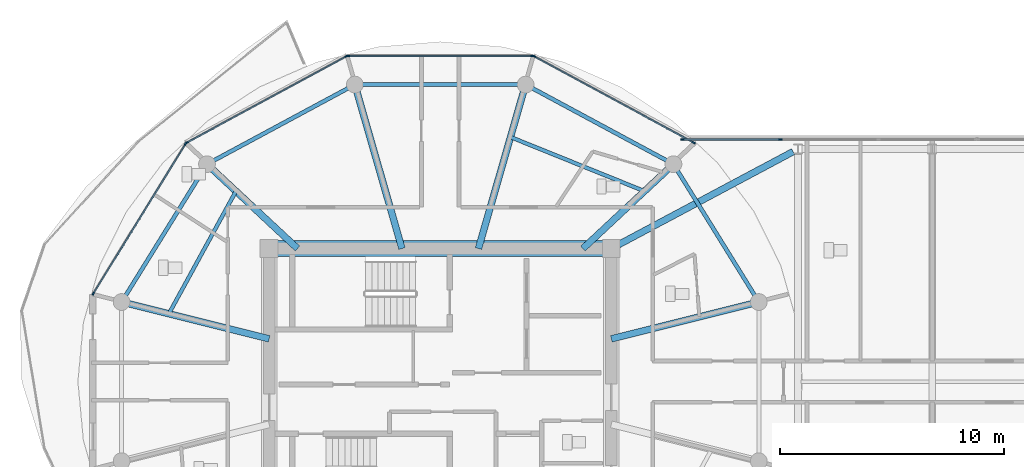
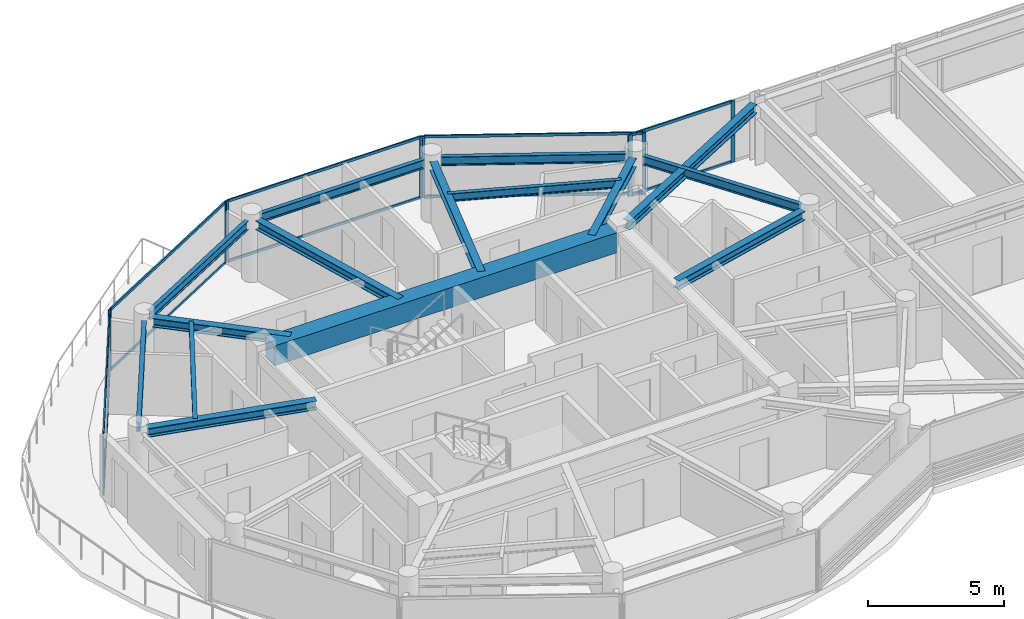
# One storey, part 5 of 26: 20 members, 15 beams, 5 elements without a shape of their own.
"""IFC4 building model written with IfcOpenShell, lengths in metres."""

from ifc_helpers import new_model, si_unit, direction, frame, origin, origin_2d, place, context, subcontext, project, spatial, rectangle, i_section, extrude, source, transform, mapped, material, layer, layer_set, material_profile, profile_set, type_object, type_shapes, element, aggregate, save


model = new_model("IFC4")

# Units and contexts
model_context = context("Model", 3, precision=1e-05, world=origin(), true_north=direction((0.0, 1.0)))
body_context = subcontext(model_context, "Body", "Model", "MODEL_VIEW")
ifc_project = project(units=[si_unit("LENGTHUNIT", "METRE"), si_unit("AREAUNIT", "SQUARE_METRE"), si_unit("VOLUMEUNIT", "CUBIC_METRE"), si_unit("PLANEANGLEUNIT", "RADIAN"), si_unit("MASSUNIT", "GRAM", prefix="KILO")], contexts=[model_context])

# Site, building, storey
site_placement = place(None, origin())
site = spatial("IfcSite", under=ifc_project, at=site_placement, CompositionType="ELEMENT")
building_placement = place(site_placement, origin())
building = spatial("IfcBuilding", under=site, at=building_placement, Name="Norrkilde Senior Care Towers", CompositionType="ELEMENT")
storey_placement = place(building_placement, frame((0.0, 0.0, 210.85009765625)))
storey = spatial("IfcBuildingStorey", under=building, at=storey_placement, Name="L65", CompositionType="ELEMENT", Elevation=210.85009765625)

# Beams
ifc_material_1 = material(Name="Concrete C60/75", Category="concrete")
ifc_material_profile_1 = material_profile(ifc_material_1, rectangle(XDim=0.699951171875, YDim=0.89990234375, at=origin_2d()), Name="RC BM 700x900")
ifc_profile_set_1 = profile_set([ifc_material_profile_1], Name="Concrete C60/75")
beam_type_1 = type_object("IfcBeamType", Name="Core Coupling Girder 700x900", PredefinedType="USERDEFINED", material=ifc_profile_set_1)
shared_shape_1 = source(origin(), body_context, "Body", "SweptSolid", [
    extrude(rectangle(XDim=0.699951171875, YDim=0.89990234375, at=origin_2d()), origin(), (0.0, 0.0, 1.0), 14.5400390625),
])
type_shapes(beam_type_1, [shared_shape_1])
beam_1_placement = place(storey_placement, frame((-35.27001953125, 5.949951171875, 2.309814453125), z_axis=(1.0, 0.0, 0.0), x_axis=(0.0, 1.0, 0.0)))
element("IfcBeam", 1, at=beam_1_placement, inside=storey, type_object=beam_type_1, Name="L65 Core W N Coupling Girder", ObjectType="GIRDER", PredefinedType="USERDEFINED", context=body_context, shape_type="MappedRepresentation", body=[
    mapped(shared_shape_1, transform((0.0, 0.0, 0.0), x_axis=(1.0, 0.0, 0.0), y_axis=(0.0, 1.0, 0.0), z_axis=(0.0, 0.0, 1.0), scale=1.0)),
])
ifc_material_2 = material(Name="Steel S355", Category="steel")
ifc_material_profile_2 = material_profile(ifc_material_2, i_section(OverallWidth=0.179931640625, OverallDepth=0.39990234375, WebThickness=0.008544921875, FlangeThickness=0.013427734375, FilletRadius=0.02099609375, at=origin_2d()), Name="IPE 400")
ifc_profile_set_2 = profile_set([ifc_material_profile_2], Name="Steel S355")
beam_type_2 = type_object("IfcBeamType", Name="Perimeter Ring Spandrel Z4 IPE400", PredefinedType="SPANDREL", material=ifc_profile_set_2)
shared_shape_2 = source(origin(), body_context, "Body", "SweptSolid", [
    extrude(i_section(OverallWidth=0.179931640625, OverallDepth=0.39990234375, WebThickness=0.008544921875, FlangeThickness=0.013427734375, FilletRadius=0.02099609375, at=origin_2d()), origin(), (0.0, 0.0, 1.0), 6.58056640625),
])
for number, where, z_axis, x_axis, name in (
    (2, (-13.928955078125, 3.843505859375, 2.559814453125), (-0.526529583789, 0.850156807533, 0.0), (-0.850156807533, -0.526529583789, 0.0), "L65 Drum W Perimeter Spandrel 01"),
    (3, (-38.606201171875, 9.43798828125, 2.559814453125), (-0.526529583789, -0.850156807533, 0.0), (0.850156807533, -0.526529583789, 0.0), "L65 Drum W Perimeter Spandrel 05"),
):
    element("IfcBeam", number, at=place(storey_placement, frame(where, z_axis=z_axis, x_axis=x_axis)), inside=storey, type_object=beam_type_2, Name=name, PredefinedType="SPANDREL", context=body_context, shape_type="MappedRepresentation", body=[
        mapped(shared_shape_2, transform((0.0, 0.0, 0.0), x_axis=(1.0, 0.0, 0.0), y_axis=(0.0, 1.0, 0.0), z_axis=(0.0, 0.0, 1.0), scale=1.0)),
    ])
ifc_material_profile_3 = material_profile(ifc_material_2, i_section(OverallWidth=0.300048828125, OverallDepth=0.39990234375, WebThickness=0.013427734375, FlangeThickness=0.02392578125, FilletRadius=0.027099609375, at=origin_2d()), Name="HEB 400")
ifc_profile_set_3 = profile_set([ifc_material_profile_3], Name="Steel S355")
beam_type_3 = type_object("IfcBeamType", Name="Radial Floor Beam Z4 HEB400", PredefinedType="BEAM", material=ifc_profile_set_3)
shared_shape_3 = source(origin(), body_context, "Body", "SweptSolid", [
    extrude(i_section(OverallWidth=0.300048828125, OverallDepth=0.39990234375, WebThickness=0.013427734375, FlangeThickness=0.02392578125, FilletRadius=0.027099609375, at=origin_2d()), origin(), (0.0, 0.0, 1.0), 6.465087890625),
])
for number, where, z_axis, x_axis, name in (
    (4, (-20.35009765625, 1.910888671875, 2.559814453125), (0.970195788563, 0.242322371758, 0.0), (-0.242322371758, 0.970195788563, 0.0), "L65 Drum W Radial Floor Beam 01"),
    (5, (-35.64990234375, 1.910888671875, 2.559814453125), (-0.970195788563, 0.242322371758, 0.0), (-0.242322371758, -0.970195788563, 0.0), "L65 Drum W Radial Floor Beam 06"),
):
    element("IfcBeam", number, at=place(storey_placement, frame(where, z_axis=z_axis, x_axis=x_axis)), inside=storey, type_object=beam_type_3, Name=name, PredefinedType="BEAM", context=body_context, shape_type="MappedRepresentation", body=[
        mapped(shared_shape_3, transform((0.0, 0.0, 0.0), x_axis=(1.0, 0.0, 0.0), y_axis=(0.0, 1.0, 0.0), z_axis=(0.0, 0.0, 1.0), scale=1.0)),
    ])
shared_shape_4 = source(origin(), body_context, "Body", "SweptSolid", [
    extrude(i_section(OverallWidth=0.179931640625, OverallDepth=0.39990234375, WebThickness=0.008544921875, FlangeThickness=0.013427734375, FilletRadius=0.02099609375, at=origin_2d()), origin(), (0.0, 0.0, 1.0), 6.839111328125),
])
for number, where, z_axis, x_axis, name in (
    (6, (-17.865234375, 9.881591796875, 2.559814453125), (-0.880563930732, 0.473927382511, 0.0), (-0.473927382511, -0.880563930732, 0.0), "L65 Drum W Perimeter Spandrel 02"),
    (7, (-32.112548828125, 13.122802734375, 2.559814453125), (-0.880563930732, -0.473927382511, 0.0), (0.473927382511, -0.880563930732, 0.0), "L65 Drum W Perimeter Spandrel 04"),
):
    element("IfcBeam", number, at=place(storey_placement, frame(where, z_axis=z_axis, x_axis=x_axis)), inside=storey, type_object=beam_type_2, Name=name, PredefinedType="SPANDREL", context=body_context, shape_type="MappedRepresentation", body=[
        mapped(shared_shape_4, transform((0.0, 0.0, 0.0), x_axis=(1.0, 0.0, 0.0), y_axis=(0.0, 1.0, 0.0), z_axis=(0.0, 0.0, 1.0), scale=1.0)),
    ])
shared_shape_5 = source(origin(), body_context, "Body", "SweptSolid", [
    extrude(i_section(OverallWidth=0.300048828125, OverallDepth=0.39990234375, WebThickness=0.013427734375, FlangeThickness=0.02392578125, FilletRadius=0.027099609375, at=origin_2d()), origin(), (0.0, 0.0, 1.0), 5.197998046875),
])
for number, where, z_axis, x_axis, name in (
    (8, (-21.6171875, 5.949951171875, 2.559814453125), (0.731448749334, 0.681896419625, 0.0), (-0.681896419625, 0.731448749334, 0.0), "L65 Drum W Radial Floor Beam 02"),
    (9, (-34.3828125, 5.949951171875, 2.559814453125), (-0.731448749334, 0.681896419625, 0.0), (-0.681896419625, -0.731448749334, 0.0), "L65 Drum W Radial Floor Beam 05"),
):
    element("IfcBeam", number, at=place(storey_placement, frame(where, z_axis=z_axis, x_axis=x_axis)), inside=storey, type_object=beam_type_3, Name=name, PredefinedType="BEAM", context=body_context, shape_type="MappedRepresentation", body=[
        mapped(shared_shape_5, transform((0.0, 0.0, 0.0), x_axis=(1.0, 0.0, 0.0), y_axis=(0.0, 1.0, 0.0), z_axis=(0.0, 0.0, 1.0), scale=1.0)),
    ])
shared_shape_6 = source(origin(), body_context, "Body", "SweptSolid", [
    extrude(i_section(OverallWidth=0.179931640625, OverallDepth=0.39990234375, WebThickness=0.008544921875, FlangeThickness=0.013427734375, FilletRadius=0.02099609375, at=origin_2d()), origin(), (0.0, 0.0, 1.0), 6.96533203125),
])
type_shapes(beam_type_2, [shared_shape_2, shared_shape_4, shared_shape_6])
beam_2_placement = place(storey_placement, frame((-24.517333984375, 13.281494140625, 2.559814453125), z_axis=(-1.0, 0.0, 0.0), x_axis=(0.0, -1.0, 0.0)))
element("IfcBeam", 10, at=beam_2_placement, inside=storey, type_object=beam_type_2, Name="L65 Drum W Perimeter Spandrel 03", PredefinedType="SPANDREL", context=body_context, shape_type="MappedRepresentation", body=[
    mapped(shared_shape_6, transform((0.0, 0.0, 0.0), x_axis=(1.0, 0.0, 0.0), y_axis=(0.0, 1.0, 0.0), z_axis=(0.0, 0.0, 1.0), scale=1.0)),
])
shared_shape_7 = source(origin(), body_context, "Body", "SweptSolid", [
    extrude(i_section(OverallWidth=0.300048828125, OverallDepth=0.39990234375, WebThickness=0.013427734375, FlangeThickness=0.02392578125, FilletRadius=0.027099609375, at=origin_2d()), origin(), (0.0, 0.0, 1.0), 7.29345703125),
])
for number, where, z_axis, x_axis, name in (
    (11, (-26.289794921875, 5.949951171875, 2.559814453125), (0.276263751906, 0.961081858836, 0.0), (-0.961081858836, 0.276263751906, 0.0), "L65 Drum W Radial Floor Beam 03"),
    (12, (-29.710205078125, 5.949951171875, 2.559814453125), (-0.276263751906, 0.961081858836, 0.0), (-0.961081858836, -0.276263751906, 0.0), "L65 Drum W Radial Floor Beam 04"),
):
    element("IfcBeam", number, at=place(storey_placement, frame(where, z_axis=z_axis, x_axis=x_axis)), inside=storey, type_object=beam_type_3, Name=name, PredefinedType="BEAM", context=body_context, shape_type="MappedRepresentation", body=[
        mapped(shared_shape_7, transform((0.0, 0.0, 0.0), x_axis=(1.0, 0.0, 0.0), y_axis=(0.0, 1.0, 0.0), z_axis=(0.0, 0.0, 1.0), scale=1.0)),
    ])
ifc_material_profile_4 = material_profile(ifc_material_2, i_section(OverallWidth=0.169921875, OverallDepth=0.360107421875, WebThickness=0.008056640625, FlangeThickness=0.0126953125, FilletRadius=0.01806640625, at=origin_2d()), Name="IPE 360")
ifc_profile_set_4 = profile_set([ifc_material_profile_4], Name="Steel S355")
beam_type_4 = type_object("IfcBeamType", Name="Secondary Floor Joist IPE360", PredefinedType="JOIST", material=ifc_profile_set_4)
shared_shape_8 = source(origin(), body_context, "Body", "SweptSolid", [
    extrude(i_section(OverallWidth=0.169921875, OverallDepth=0.360107421875, WebThickness=0.008056640625, FlangeThickness=0.0126953125, FilletRadius=0.01806640625, at=origin_2d()), origin(), (0.0, 0.0, 1.0), 6.461669921875),
])
beam_3_placement = place(storey_placement, frame((-18.865234375, 8.515380859375, 2.579833984375), z_axis=(-0.927225942298, 0.374502405772, 0.0), x_axis=(-0.374502405772, -0.927225942298, 0.0)))
element("IfcBeam", 13, at=beam_3_placement, inside=storey, type_object=beam_type_4, Name="L65 Drum W Secondary Floor Joist 1", PredefinedType="JOIST", context=body_context, shape_type="MappedRepresentation", body=[
    mapped(shared_shape_8, transform((0.0, 0.0, 0.0), x_axis=(1.0, 0.0, 0.0), y_axis=(0.0, 1.0, 0.0), z_axis=(0.0, 0.0, 1.0), scale=1.0)),
])
shared_shape_9 = source(origin(), body_context, "Body", "SweptSolid", [
    extrude(i_section(OverallWidth=0.169921875, OverallDepth=0.360107421875, WebThickness=0.008056640625, FlangeThickness=0.0126953125, FilletRadius=0.01806640625, at=origin_2d()), origin(), (0.0, 0.0, 1.0), 6.25146484375),
])
type_shapes(beam_type_4, [shared_shape_8, shared_shape_9])
beam_4_placement = place(storey_placement, frame((-37.134765625, 8.515380859375, 2.579833984375), z_axis=(-0.480115752653, -0.877205143655, 0.0), x_axis=(0.877205143655, -0.480115752653, 0.0)))
element("IfcBeam", 14, at=beam_4_placement, inside=storey, type_object=beam_type_4, Name="L65 Drum W Secondary Floor Joist 2", PredefinedType="JOIST", context=body_context, shape_type="MappedRepresentation", body=[
    mapped(shared_shape_9, transform((0.0, 0.0, 0.0), x_axis=(1.0, 0.0, 0.0), y_axis=(0.0, 1.0, 0.0), z_axis=(0.0, 0.0, 1.0), scale=1.0)),
])
shared_shape_10 = source(origin(), body_context, "Body", "SweptSolid", [
    extrude(i_section(OverallWidth=0.300048828125, OverallDepth=0.39990234375, WebThickness=0.013427734375, FlangeThickness=0.02392578125, FilletRadius=0.027099609375, at=origin_2d()), origin(), (0.0, 0.0, 1.0), 8.831787109375),
])
type_shapes(beam_type_3, [shared_shape_3, shared_shape_5, shared_shape_7, shared_shape_10])
beam_5_placement = place(storey_placement, frame((-20.0146484375, 6.128662109375, 2.559814453125), z_axis=(0.882492172381, 0.470327083727, 0.0), x_axis=(-0.470327083727, 0.882492172381, 0.0)))
element("IfcBeam", 15, at=beam_5_placement, inside=storey, type_object=beam_type_3, Name="L65 Sky-Gate Bridge Girder N1", PredefinedType="BEAM", context=body_context, shape_type="MappedRepresentation", body=[
    mapped(shared_shape_10, transform((0.0, 0.0, 0.0), x_axis=(1.0, 0.0, 0.0), y_axis=(0.0, 1.0, 0.0), z_axis=(0.0, 0.0, 1.0), scale=1.0)),
])

# Curtain wall, members
ifc_material_3 = material(Name="Triple Low-E Insulated Glazing", Category="glass")
ifc_layer_1 = layer(ifc_material_3, 0.18505859375)
ifc_layer_set_1 = layer_set([ifc_layer_1], Name="Triple Low-E Insulated Glazing")
curtain_wall_type_1 = type_object("IfcCurtainWallType", Name="CW6 Zone 4 Crown Pavilion Curtain Wall", PredefinedType="NOTDEFINED", material=ifc_layer_set_1)
curtain_wall_1_placement = place(storey_placement, origin())
curtain_wall_1 = element("IfcCurtainWall", 16, at=curtain_wall_1_placement, inside=storey, type_object=curtain_wall_type_1, Name="L65 Drum W Curtain Wall 04", PredefinedType="NOTDEFINED")
ifc_material_4 = material(Name="Anodised Aluminium", Category="aluminium")
ifc_material_profile_5 = material_profile(ifc_material_4, rectangle(XDim=0.06005859375, YDim=0.1201171875, at=origin_2d()), Name="ALU TRAN 60x120")
ifc_profile_set_5 = profile_set([ifc_material_profile_5], Name="Anodised Aluminium")
member_type_1 = type_object("IfcMemberType", Name="Curtain Wall Transom Typical 60x120", PredefinedType="USERDEFINED", material=ifc_profile_set_5)
shared_shape_11 = source(origin(), body_context, "Body", "SweptSolid", [
    extrude(rectangle(XDim=0.06005859375, YDim=0.1201171875, at=origin_2d()), origin(), (0.0, 0.0, 1.0), 7.808837890625),
])
member_1_placement = place(storey_placement, frame((-43.498046875, 3.958251953125, 0.02978515625), z_axis=(0.524250924101, 0.851563837055, 0.0), x_axis=(-0.851563837055, 0.524250924101, 0.0)))
member_1 = element("IfcMember", 17, at=member_1_placement, type_object=member_type_1, Name="CW-6 transom 1.1", ObjectType="TRANSOM", PredefinedType="USERDEFINED", context=body_context, shape_type="MappedRepresentation", body=[
    mapped(shared_shape_11, transform((0.0, 0.0, 0.0), x_axis=(1.0, 0.0, 0.0), y_axis=(0.0, 1.0, 0.0), z_axis=(0.0, 0.0, 1.0), scale=1.0)),
])
member_2_placement = place(storey_placement, frame((-43.498046875, 3.958251953125, 2.72998046875), z_axis=(0.524250924101, 0.851563837055, 0.0), x_axis=(-0.851563837055, 0.524250924101, 0.0)))
member_2 = element("IfcMember", 18, at=member_2_placement, type_object=member_type_1, Name="CW-6 transom 1.2", ObjectType="TRANSOM", PredefinedType="USERDEFINED", context=body_context, shape_type="MappedRepresentation", body=[
    mapped(shared_shape_11, transform((0.0, 0.0, 0.0), x_axis=(1.0, 0.0, 0.0), y_axis=(0.0, 1.0, 0.0), z_axis=(0.0, 0.0, 1.0), scale=1.0)),
])

curtain_wall_2_placement = place(storey_placement, origin())
curtain_wall_2 = element("IfcCurtainWall", 19, at=curtain_wall_2_placement, inside=storey, type_object=curtain_wall_type_1, Name="L65 Drum W Curtain Wall 02", PredefinedType="NOTDEFINED")
shared_shape_12 = source(origin(), body_context, "Body", "SweptSolid", [
    extrude(rectangle(XDim=0.06005859375, YDim=0.1201171875, at=origin_2d()), origin(), (0.0, 0.0, 1.0), 8.19384765625),
])
member_3_placement = place(storey_placement, frame((-32.096923828125, 14.566162109375, 0.02978515625), z_axis=(1.0, 0.0, 0.0), x_axis=(0.0, 1.0, 0.0)))
member_3 = element("IfcMember", 20, at=member_3_placement, type_object=member_type_1, Name="CW-6 transom 1.1", ObjectType="TRANSOM", PredefinedType="USERDEFINED", context=body_context, shape_type="MappedRepresentation", body=[
    mapped(shared_shape_12, transform((0.0, 0.0, 0.0), x_axis=(1.0, 0.0, 0.0), y_axis=(0.0, 1.0, 0.0), z_axis=(0.0, 0.0, 1.0), scale=1.0)),
])
member_4_placement = place(storey_placement, frame((-32.096923828125, 14.566162109375, 2.72998046875), z_axis=(1.0, 0.0, 0.0), x_axis=(0.0, 1.0, 0.0)))
member_4 = element("IfcMember", 21, at=member_4_placement, type_object=member_type_1, Name="CW-6 transom 1.2", ObjectType="TRANSOM", PredefinedType="USERDEFINED", context=body_context, shape_type="MappedRepresentation", body=[
    mapped(shared_shape_12, transform((0.0, 0.0, 0.0), x_axis=(1.0, 0.0, 0.0), y_axis=(0.0, 1.0, 0.0), z_axis=(0.0, 0.0, 1.0), scale=1.0)),
])

curtain_wall_3_placement = place(storey_placement, origin())
curtain_wall_3 = element("IfcCurtainWall", 22, at=curtain_wall_3_placement, inside=storey, type_object=curtain_wall_type_1, Name="L65 Drum W Curtain Wall 01", PredefinedType="NOTDEFINED")
shared_shape_13 = source(origin(), body_context, "Body", "SweptSolid", [
    extrude(rectangle(XDim=0.06005859375, YDim=0.1201171875, at=origin_2d()), origin(), (0.0, 0.0, 1.0), 8.0673828125),
])
type_shapes(member_type_1, [shared_shape_11, shared_shape_12, shared_shape_13])
member_5_placement = place(storey_placement, frame((-23.781005859375, 14.53515625, 0.02978515625), z_axis=(0.87937750072, -0.476125205411, 0.0), x_axis=(0.476125205411, 0.87937750072, 0.0)))
member_5 = element("IfcMember", 23, at=member_5_placement, type_object=member_type_1, Name="CW-6 transom 1.1", ObjectType="TRANSOM", PredefinedType="USERDEFINED", context=body_context, shape_type="MappedRepresentation", body=[
    mapped(shared_shape_13, transform((0.0, 0.0, 0.0), x_axis=(1.0, 0.0, 0.0), y_axis=(0.0, 1.0, 0.0), z_axis=(0.0, 0.0, 1.0), scale=1.0)),
])
member_6_placement = place(storey_placement, frame((-23.781005859375, 14.53515625, 2.72998046875), z_axis=(0.87937750072, -0.476125205411, 0.0), x_axis=(0.476125205411, 0.87937750072, 0.0)))
member_6 = element("IfcMember", 24, at=member_6_placement, type_object=member_type_1, Name="CW-6 transom 1.2", ObjectType="TRANSOM", PredefinedType="USERDEFINED", context=body_context, shape_type="MappedRepresentation", body=[
    mapped(shared_shape_13, transform((0.0, 0.0, 0.0), x_axis=(1.0, 0.0, 0.0), y_axis=(0.0, 1.0, 0.0), z_axis=(0.0, 0.0, 1.0), scale=1.0)),
])

curtain_wall_4_placement = place(storey_placement, origin())
curtain_wall_4 = element("IfcCurtainWall", 25, at=curtain_wall_4_placement, inside=storey, type_object=curtain_wall_type_1, Name="L65 Drum W Curtain Wall 03", PredefinedType="NOTDEFINED")
member_7_placement = place(storey_placement, frame((-39.313232421875, 10.694091796875, 0.02978515625), z_axis=(0.87937750072, 0.476125205411, 0.0), x_axis=(-0.476125205411, 0.87937750072, 0.0)))
member_7 = element("IfcMember", 26, at=member_7_placement, type_object=member_type_1, Name="CW-6 transom 1.1", ObjectType="TRANSOM", PredefinedType="USERDEFINED", context=body_context, shape_type="MappedRepresentation", body=[
    mapped(shared_shape_13, transform((0.0, 0.0, 0.0), x_axis=(1.0, 0.0, 0.0), y_axis=(0.0, 1.0, 0.0), z_axis=(0.0, 0.0, 1.0), scale=1.0)),
])
member_8_placement = place(storey_placement, frame((-39.313232421875, 10.694091796875, 2.72998046875), z_axis=(0.87937750072, 0.476125205411, 0.0), x_axis=(-0.476125205411, 0.87937750072, 0.0)))
member_8 = element("IfcMember", 27, at=member_8_placement, type_object=member_type_1, Name="CW-6 transom 1.2", ObjectType="TRANSOM", PredefinedType="USERDEFINED", context=body_context, shape_type="MappedRepresentation", body=[
    mapped(shared_shape_13, transform((0.0, 0.0, 0.0), x_axis=(1.0, 0.0, 0.0), y_axis=(0.0, 1.0, 0.0), z_axis=(0.0, 0.0, 1.0), scale=1.0)),
])

# Member
ifc_material_profile_6 = material_profile(ifc_material_4, rectangle(XDim=0.06494140625, YDim=0.14990234375, at=origin_2d()), Name="ALU MULL 65x150")
ifc_profile_set_6 = profile_set([ifc_material_profile_6], Name="Anodised Aluminium")
member_type_2 = type_object("IfcMemberType", Name="Curtain Wall Mullion Z3-Z4 65x150", PredefinedType="MULLION", material=ifc_profile_set_6)
shared_shape_14 = source(origin(), body_context, "Body", "SweptSolid", [
    extrude(rectangle(XDim=0.06494140625, YDim=0.14990234375, at=origin_2d()), origin(), (0.0, 0.0, 1.0), 2.760009765625),
])
type_shapes(member_type_2, [shared_shape_14])
member_9_placement = place(storey_placement, frame((-23.8095703125, 14.55078125, 0.0), z_axis=(0.0, 0.0, 1.0), x_axis=(0.476132676136, 0.879373455772, 0.0)))
member_9 = element("IfcMember", 28, at=member_9_placement, type_object=member_type_2, Name="CW-6 mullion 1", PredefinedType="MULLION", context=body_context, shape_type="MappedRepresentation", body=[
    mapped(shared_shape_14, transform((0.0, 0.0, 0.0), x_axis=(1.0, 0.0, 0.0), y_axis=(0.0, 1.0, 0.0), z_axis=(0.0, 0.0, 1.0), scale=1.0)),
])

member_10_placement = place(storey_placement, frame((-16.658203125, 10.6787109375, 0.0), z_axis=(0.0, 0.0, 1.0), x_axis=(0.476132676136, 0.879373455772, 0.0)))
member_10 = element("IfcMember", 29, at=member_10_placement, type_object=member_type_2, Name="CW-6 mullion 2", PredefinedType="MULLION", context=body_context, shape_type="MappedRepresentation", body=[
    mapped(shared_shape_14, transform((0.0, 0.0, 0.0), x_axis=(1.0, 0.0, 0.0), y_axis=(0.0, 1.0, 0.0), z_axis=(0.0, 0.0, 1.0), scale=1.0)),
])

aggregate(curtain_wall_3, [member_9, member_10, member_5, member_6])

member_11_placement = place(storey_placement, frame((-32.12939453125, 14.566162109375, 0.0), z_axis=(0.0, 0.0, 1.0), x_axis=(0.0, 1.0, 0.0)))
member_11 = element("IfcMember", 30, at=member_11_placement, type_object=member_type_2, Name="CW-6 mullion 1", PredefinedType="MULLION", context=body_context, shape_type="MappedRepresentation", body=[
    mapped(shared_shape_14, transform((0.0, 0.0, 0.0), x_axis=(1.0, 0.0, 0.0), y_axis=(0.0, 1.0, 0.0), z_axis=(0.0, 0.0, 1.0), scale=1.0)),
])

member_12_placement = place(storey_placement, frame((-23.87060546875, 14.566162109375, 0.0), z_axis=(0.0, 0.0, 1.0), x_axis=(0.0, 1.0, 0.0)))
member_12 = element("IfcMember", 31, at=member_12_placement, type_object=member_type_2, Name="CW-6 mullion 2", PredefinedType="MULLION", context=body_context, shape_type="MappedRepresentation", body=[
    mapped(shared_shape_14, transform((0.0, 0.0, 0.0), x_axis=(1.0, 0.0, 0.0), y_axis=(0.0, 1.0, 0.0), z_axis=(0.0, 0.0, 1.0), scale=1.0)),
])

aggregate(curtain_wall_2, [member_11, member_12, member_3, member_4])

member_13_placement = place(storey_placement, frame((-39.341796875, 10.6787109375, 0.0), z_axis=(0.0, 0.0, 1.0), x_axis=(-0.476132676136, 0.879373455772, 0.0)))
member_13 = element("IfcMember", 32, at=member_13_placement, type_object=member_type_2, Name="CW-6 mullion 1", PredefinedType="MULLION", context=body_context, shape_type="MappedRepresentation", body=[
    mapped(shared_shape_14, transform((0.0, 0.0, 0.0), x_axis=(1.0, 0.0, 0.0), y_axis=(0.0, 1.0, 0.0), z_axis=(0.0, 0.0, 1.0), scale=1.0)),
])

member_14_placement = place(storey_placement, frame((-32.1904296875, 14.55078125, 0.0), z_axis=(0.0, 0.0, 1.0), x_axis=(-0.476132676136, 0.879373455772, 0.0)))
member_14 = element("IfcMember", 33, at=member_14_placement, type_object=member_type_2, Name="CW-6 mullion 2", PredefinedType="MULLION", context=body_context, shape_type="MappedRepresentation", body=[
    mapped(shared_shape_14, transform((0.0, 0.0, 0.0), x_axis=(1.0, 0.0, 0.0), y_axis=(0.0, 1.0, 0.0), z_axis=(0.0, 0.0, 1.0), scale=1.0)),
])

aggregate(curtain_wall_4, [member_13, member_14, member_7, member_8])

member_15_placement = place(storey_placement, frame((-43.51513671875, 3.9306640625, 0.0), z_axis=(0.0, 0.0, 1.0), x_axis=(-0.851562727283, 0.524252726748, 0.0)))
member_15 = element("IfcMember", 34, at=member_15_placement, type_object=member_type_2, Name="CW-6 mullion 1", PredefinedType="MULLION", context=body_context, shape_type="MappedRepresentation", body=[
    mapped(shared_shape_14, transform((0.0, 0.0, 0.0), x_axis=(1.0, 0.0, 0.0), y_axis=(0.0, 1.0, 0.0), z_axis=(0.0, 0.0, 1.0), scale=1.0)),
])

member_16_placement = place(storey_placement, frame((-39.38720703125, 10.635498046875, 0.0), z_axis=(0.0, 0.0, 1.0), x_axis=(-0.851562727283, 0.524252726748, 0.0)))
member_16 = element("IfcMember", 35, at=member_16_placement, type_object=member_type_2, Name="CW-6 mullion 2", PredefinedType="MULLION", context=body_context, shape_type="MappedRepresentation", body=[
    mapped(shared_shape_14, transform((0.0, 0.0, 0.0), x_axis=(1.0, 0.0, 0.0), y_axis=(0.0, 1.0, 0.0), z_axis=(0.0, 0.0, 1.0), scale=1.0)),
])

aggregate(curtain_wall_1, [member_15, member_16, member_1, member_2])

# Curtain wall, members
ifc_layer_2 = layer(ifc_material_3, 0.2099609375)
ifc_layer_set_2 = layer_set([ifc_layer_2], Name="Triple Low-E Insulated Glazing")
curtain_wall_type_2 = type_object("IfcCurtainWallType", Name="CW5 Sky-Gate Bridge Curtain Wall", PredefinedType="NOTDEFINED", material=ifc_layer_set_2)
curtain_wall_5_placement = place(storey_placement, origin())
curtain_wall_5 = element("IfcCurtainWall", 36, at=curtain_wall_5_placement, inside=storey, type_object=curtain_wall_type_2, Name="L65 Sky-Gate Bridge North Curtain Wall 1", PredefinedType="NOTDEFINED")
ifc_material_profile_7 = material_profile(ifc_material_4, rectangle(XDim=0.06494140625, YDim=0.1298828125, at=origin_2d()), Name="ALU TRAN 65x130")
ifc_profile_set_7 = profile_set([ifc_material_profile_7], Name="Anodised Aluminium")
member_type_3 = type_object("IfcMemberType", Name="Curtain Wall Transom Heavy 65x130", PredefinedType="USERDEFINED", material=ifc_profile_set_7)
shared_shape_15 = source(origin(), body_context, "Body", "SweptSolid", [
    extrude(rectangle(XDim=0.06494140625, YDim=0.1298828125, at=origin_2d()), origin(), (0.0, 0.0, 1.0), 4.294921875),
])
type_shapes(member_type_3, [shared_shape_15])
member_17_placement = place(storey_placement, frame((-17.1298828125, 10.820068359375, 0.032470703125), z_axis=(1.0, 0.0, 0.0), x_axis=(0.0, 1.0, 0.0)))
member_17 = element("IfcMember", 37, at=member_17_placement, type_object=member_type_3, Name="CW-5 transom 1.1", ObjectType="TRANSOM", PredefinedType="USERDEFINED", context=body_context, shape_type="MappedRepresentation", body=[
    mapped(shared_shape_15, transform((0.0, 0.0, 0.0), x_axis=(1.0, 0.0, 0.0), y_axis=(0.0, 1.0, 0.0), z_axis=(0.0, 0.0, 1.0), scale=1.0)),
])
member_18_placement = place(storey_placement, frame((-17.1298828125, 10.820068359375, 2.727294921875), z_axis=(1.0, 0.0, 0.0), x_axis=(0.0, 1.0, 0.0)))
member_18 = element("IfcMember", 38, at=member_18_placement, type_object=member_type_3, Name="CW-5 transom 1.2", ObjectType="TRANSOM", PredefinedType="USERDEFINED", context=body_context, shape_type="MappedRepresentation", body=[
    mapped(shared_shape_15, transform((0.0, 0.0, 0.0), x_axis=(1.0, 0.0, 0.0), y_axis=(0.0, 1.0, 0.0), z_axis=(0.0, 0.0, 1.0), scale=1.0)),
])
ifc_material_profile_8 = material_profile(ifc_material_4, rectangle(XDim=0.070068359375, YDim=0.169921875, at=origin_2d()), Name="ALU MULL 70x170")
ifc_profile_set_8 = profile_set([ifc_material_profile_8], Name="Anodised Aluminium")
member_type_4 = type_object("IfcMemberType", Name="Curtain Wall Mullion Heavy 70x170", PredefinedType="MULLION", material=ifc_profile_set_8)
shared_shape_16 = source(origin(), body_context, "Body", "SweptSolid", [
    extrude(rectangle(XDim=0.070068359375, YDim=0.169921875, at=origin_2d()), origin(), (0.0, 0.0, 1.0), 2.760009765625),
])
type_shapes(member_type_4, [shared_shape_16])
member_19_placement = place(storey_placement, frame((-17.1650390625, 10.820068359375, 0.0), z_axis=(0.0, 0.0, 1.0), x_axis=(0.0, 1.0, 0.0)))
member_19 = element("IfcMember", 39, at=member_19_placement, type_object=member_type_4, Name="CW-5 mullion 1", PredefinedType="MULLION", context=body_context, shape_type="MappedRepresentation", body=[
    mapped(shared_shape_16, transform((0.0, 0.0, 0.0), x_axis=(1.0, 0.0, 0.0), y_axis=(0.0, 1.0, 0.0), z_axis=(0.0, 0.0, 1.0), scale=1.0)),
])
member_20_placement = place(storey_placement, frame((-12.800048828125, 10.820068359375, 0.0), z_axis=(0.0, 0.0, 1.0), x_axis=(0.0, 1.0, 0.0)))
member_20 = element("IfcMember", 40, at=member_20_placement, type_object=member_type_4, Name="CW-5 mullion 2", PredefinedType="MULLION", context=body_context, shape_type="MappedRepresentation", body=[
    mapped(shared_shape_16, transform((0.0, 0.0, 0.0), x_axis=(1.0, 0.0, 0.0), y_axis=(0.0, 1.0, 0.0), z_axis=(0.0, 0.0, 1.0), scale=1.0)),
])
aggregate(curtain_wall_5, [member_19, member_20, member_17, member_18])

save(model, "model.ifc")
